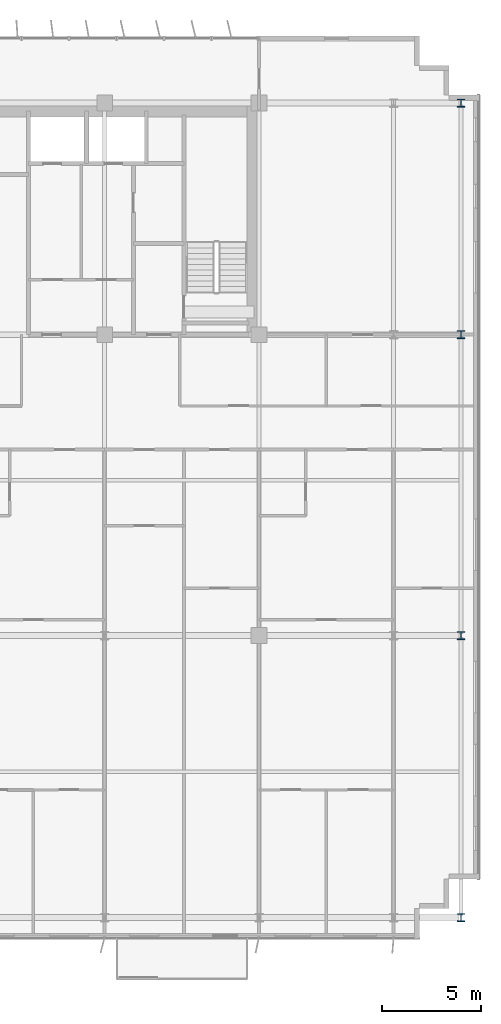
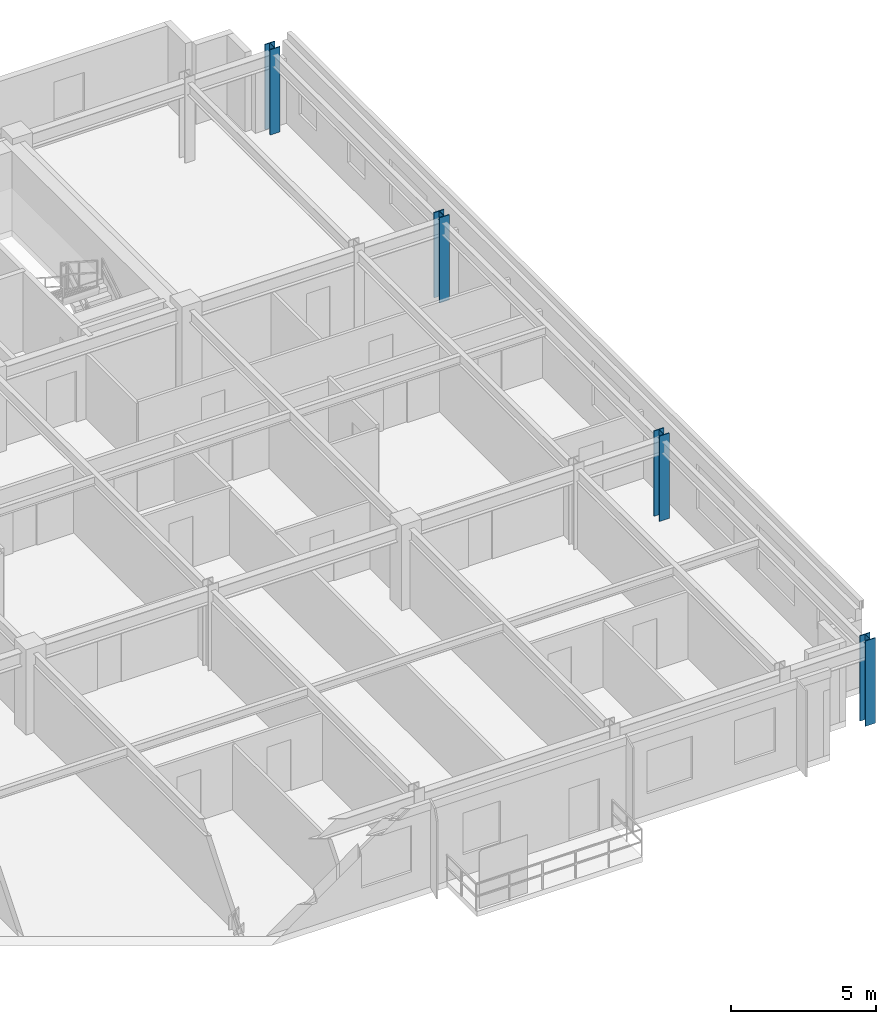
# One storey, part 3 of 21: 4 columns.
"""IFC4 building model written with IfcOpenShell, lengths in metres."""

from ifc_helpers import new_model, si_unit, direction, frame, origin, origin_2d, place, context, subcontext, project, spatial, i_section, extrude, source, transform, mapped, material, material_profile, profile_set, type_object, element, save


model = new_model("IFC4")

# Units and contexts
model_context = context("Model", 3, precision=1e-05, world=origin(), true_north=direction((0.0, 1.0)))
body_context = subcontext(model_context, "Body", "Model", "MODEL_VIEW")
ifc_project = project(units=[si_unit("LENGTHUNIT", "METRE"), si_unit("AREAUNIT", "SQUARE_METRE"), si_unit("VOLUMEUNIT", "CUBIC_METRE"), si_unit("PLANEANGLEUNIT", "RADIAN"), si_unit("MASSUNIT", "GRAM", prefix="KILO")], contexts=[model_context])

# Site, building, storey
site_placement = place(None, origin())
site = spatial("IfcSite", under=ifc_project, at=site_placement, CompositionType="ELEMENT")
building_placement = place(site_placement, origin())
building = spatial("IfcBuilding", under=site, at=building_placement, Name="Trelvane Seafront Commons", CompositionType="ELEMENT")
storey_placement = place(building_placement, frame((0.0, 0.0, 110.5)))
storey = spatial("IfcBuildingStorey", under=building, at=storey_placement, Name="L28", CompositionType="ELEMENT", Elevation=110.5)

# Columns
ifc_material = material(Name="Steel SM355 (S355)", Category="steel")
ifc_material_profile = material_profile(ifc_material, i_section(OverallWidth=0.39990234375, OverallDepth=0.39990234375, WebThickness=0.02197265625, FlangeThickness=0.034912109375, at=origin_2d()), Name="HD-400x400x22x35")
ifc_profile_set = profile_set([ifc_material_profile], Name="Steel SM355 (S355)")
column_type = type_object("IfcColumnType", Name="STR-COL-HD400", PredefinedType="COLUMN", material=ifc_profile_set)
shared_shape = source(origin(), body_context, "Body", "SweptSolid", [
    extrude(i_section(OverallWidth=0.39990234375, OverallDepth=0.39990234375, WebThickness=0.02197265625, FlangeThickness=0.034912109375, at=origin_2d()), origin(), (0.0, 0.0, 1.0), 3.60009765625),
])
for number, where, z_axis, x_axis, name in (
    (1, (69.0, 3.949951171875, 0.0), (0.0, 0.0, 1.0), (1.0, 0.0, 0.0), "L28 Column TC-S69.0"),
    (2, (69.0, 18.199951171875, 0.0), (0.0, 0.0, 1.0), (1.0, 0.0, 0.0), "L28 Column TC-M69.0"),
    (3, (69.0, 33.39990234375, 0.0), (0.0, 0.0, 1.0), (1.0, 0.0, 0.0), "L28 Column TC-CS69.0"),
    (4, (69.0, 45.10009765625, 0.0), (0.0, 0.0, 1.0), (1.0, 0.0, 0.0), "L28 Column TC-CN69.0"),
):
    element("IfcColumn", number, at=place(storey_placement, frame(where, z_axis=z_axis, x_axis=x_axis)), inside=storey, type_object=column_type, Name=name, PredefinedType="COLUMN", context=body_context, shape_type="MappedRepresentation", body=[
        mapped(shared_shape, transform((0.0, 0.0, 0.0), x_axis=(1.0, 0.0, 0.0), y_axis=(0.0, 1.0, 0.0), z_axis=(0.0, 0.0, 1.0), scale=1.0)),
    ])

save(model, "model.ifc")
